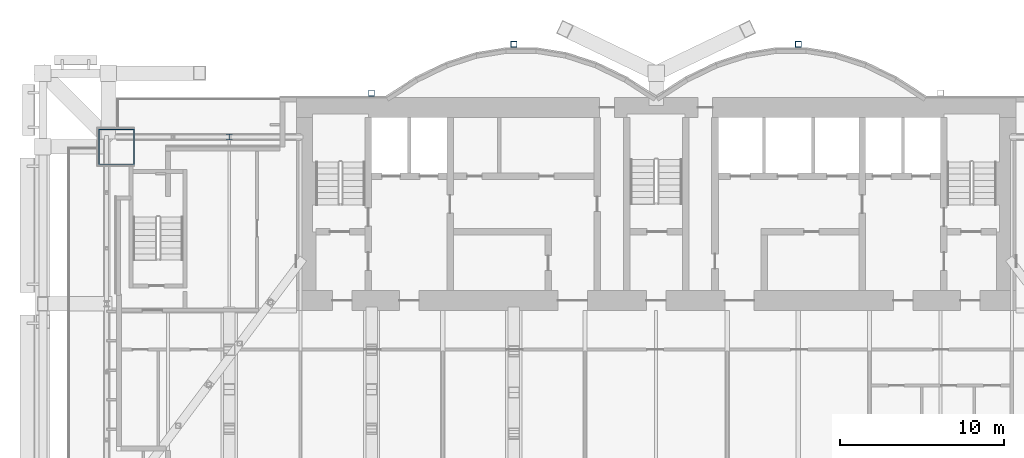
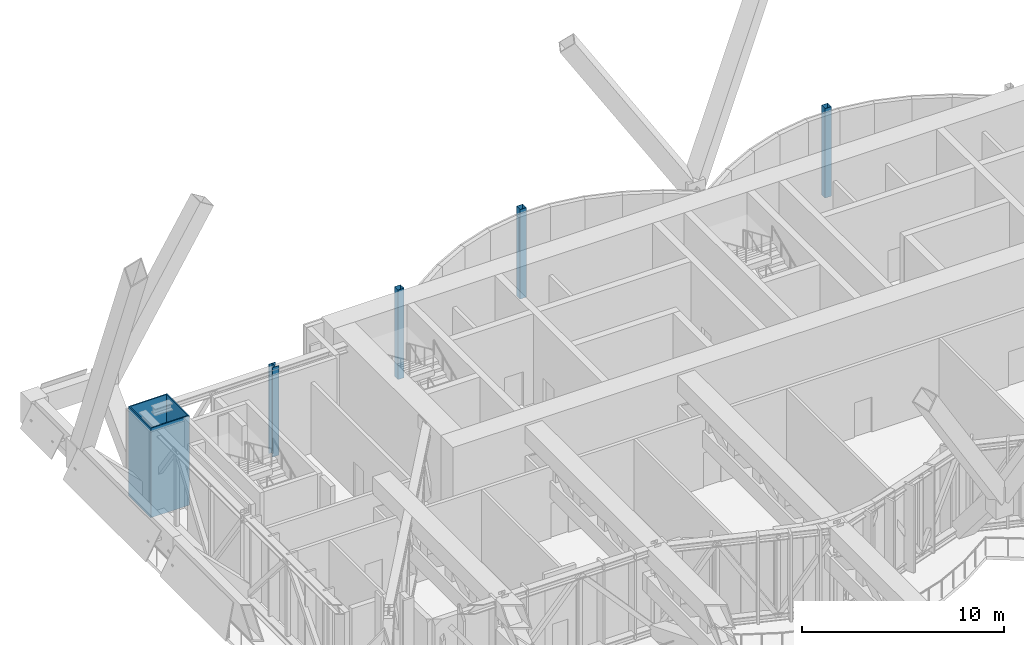
# One storey, part 3 of 30: 5 columns.
"""IFC4 building model written with IfcOpenShell, lengths in metres."""

from ifc_helpers import new_model, si_unit, direction, frame, origin, origin_2d, place, context, subcontext, project, spatial, hollow_rectangle, i_section, extrude, material, material_profile, profile_set, type_object, element, save


model = new_model("IFC4")

# Units and contexts
model_context = context("Model", 3, precision=1e-05, world=origin(), true_north=direction((0.0, 1.0)))
body_context = subcontext(model_context, "Body", "Model", "MODEL_VIEW")
ifc_project = project(units=[si_unit("LENGTHUNIT", "METRE"), si_unit("AREAUNIT", "SQUARE_METRE"), si_unit("VOLUMEUNIT", "CUBIC_METRE"), si_unit("PLANEANGLEUNIT", "RADIAN"), si_unit("MASSUNIT", "GRAM", prefix="KILO")], contexts=[model_context])

# Site, building, storey
site_placement = place(None, origin())
site = spatial("IfcSite", under=ifc_project, at=site_placement, CompositionType="ELEMENT")
building_placement = place(site_placement, origin())
building = spatial("IfcBuilding", under=site, at=building_placement, Name="Bicima Exchange Tower", CompositionType="ELEMENT")
storey_placement = place(building_placement, frame((0.0, 0.0, 287.60009765625)))
storey = spatial("IfcBuildingStorey", under=building, at=storey_placement, Name="L65", CompositionType="ELEMENT", Elevation=287.60009765625)

# Columns
ifc_material_1 = material(Name="Steel ASTM A572 Gr 50", Category="steel")
ifc_material_profile_1 = material_profile(ifc_material_1, hollow_rectangle(XDim=2.199951171875, YDim=2.199951171875, WallThickness=0.06005859375, at=origin_2d()))
ifc_profile_set_1 = profile_set([ifc_material_profile_1], Name="Steel ASTM A572 Gr 50")
column_type_1 = type_object("IfcColumnType", Name="Mega column BOX 2200x2200x60", PredefinedType="COLUMN", material=ifc_profile_set_1)
column_1_placement = place(storey_placement, frame((-33.0, -3.0, 0.0), z_axis=(0.0, 0.0, 1.0), x_axis=(1.0, 0.0, 0.0)))
element("IfcColumn", 1, at=column_1_placement, inside=storey, type_object=column_type_1, Name="Mega column mega-33.0r", PredefinedType="COLUMN", context=body_context, shape_type="SweptSolid", body=[
    extrude(hollow_rectangle(XDim=2.199951171875, YDim=2.199951171875, WallThickness=0.06005859375, at=origin_2d()), origin(), (0.0, 0.0, 1.0), 5.39990234375),
])
ifc_material_2 = material(Name="Steel ASTM A992 Gr 50", Category="steel")
ifc_material_profile_2 = material_profile(ifc_material_2, i_section(OverallWidth=0.370849609375, OverallDepth=0.36328125, WebThickness=0.013427734375, FlangeThickness=0.021728515625, at=origin_2d()))
ifc_profile_set_2 = profile_set([ifc_material_profile_2], Name="Steel ASTM A992 Gr 50")
column_type_2 = type_object("IfcColumnType", Name="Perimeter column W14x109", PredefinedType="COLUMN", material=ifc_profile_set_2)
column_2_placement = place(storey_placement, frame((-26.10009765625, -2.39990234375, 0.0), z_axis=(0.0, 0.0, 1.0), x_axis=(1.0, 0.0, 0.0)))
element("IfcColumn", 2, at=column_2_placement, inside=storey, type_object=column_type_2, Name="Perimeter column grav-26.1r", PredefinedType="COLUMN", context=body_context, shape_type="SweptSolid", body=[
    extrude(i_section(OverallWidth=0.370849609375, OverallDepth=0.36328125, WebThickness=0.013427734375, FlangeThickness=0.021728515625, at=origin_2d()), origin(), (0.0, 0.0, 1.0), 5.39990234375),
])
ifc_material_profile_3 = material_profile(ifc_material_1, hollow_rectangle(XDim=0.355712890625, YDim=0.355712890625, WallThickness=0.01171875, at=origin_2d()))
ifc_profile_set_3 = profile_set([ifc_material_profile_3], Name="Steel ASTM A572 Gr 50")
column_type_3 = type_object("IfcColumnType", Name="Rear pilaster HSS14x14x1/2", PredefinedType="COLUMN", material=ifc_profile_set_3)
for number, where, z_axis, x_axis, name in (
    (3, (-8.699951171875, 3.26904296875, 0.0), (0.0, 0.0, 1.0), (1.0, 0.0, 0.0), "Rear pilaster rexo-8.7r"),
    (4, (-17.39990234375, 0.278076171875, 0.0), (0.0, 0.0, 1.0), (1.0, 0.0, 0.0), "Rear pilaster rexo-17.4r"),
    (5, (8.699951171875, 3.26904296875, 0.0), (0.0, 0.0, 1.0), (1.0, 0.0, 0.0), "Rear pilaster rexo+8.7r"),
):
    element("IfcColumn", number, at=place(storey_placement, frame(where, z_axis=z_axis, x_axis=x_axis)), inside=storey, type_object=column_type_3, Name=name, PredefinedType="COLUMN", context=body_context, shape_type="SweptSolid", body=[
        extrude(hollow_rectangle(XDim=0.355712890625, YDim=0.355712890625, WallThickness=0.01171875, at=origin_2d()), origin(), (0.0, 0.0, 1.0), 5.39990234375),
    ])

save(model, "model.ifc")
